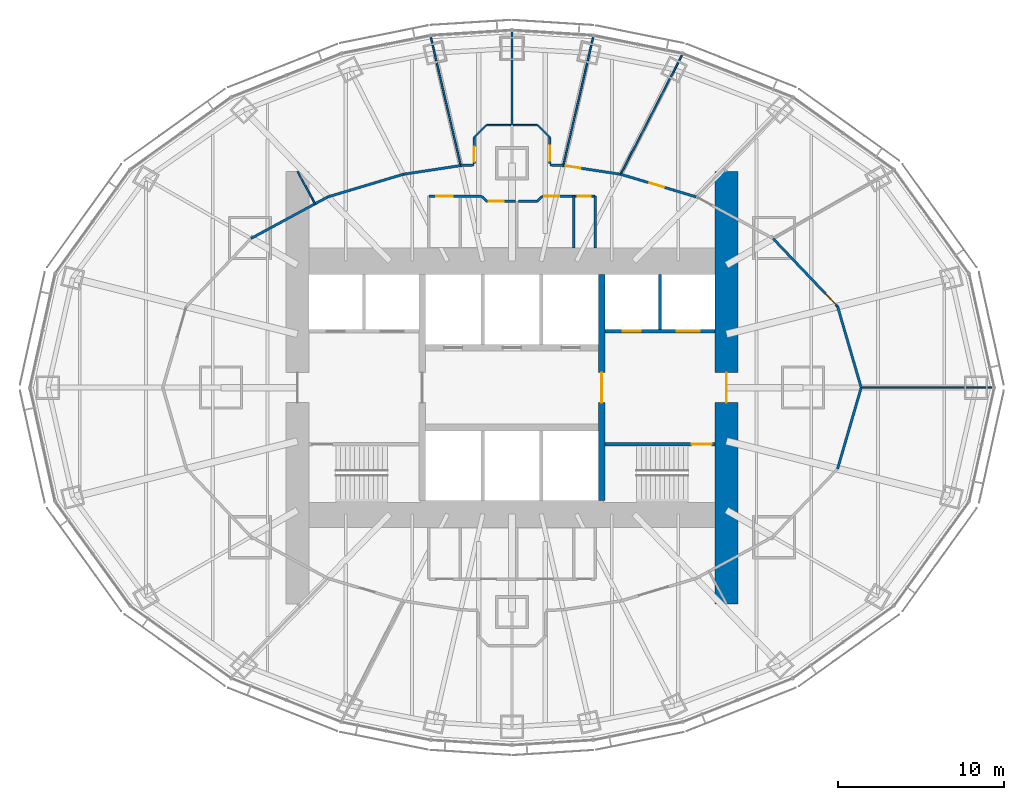
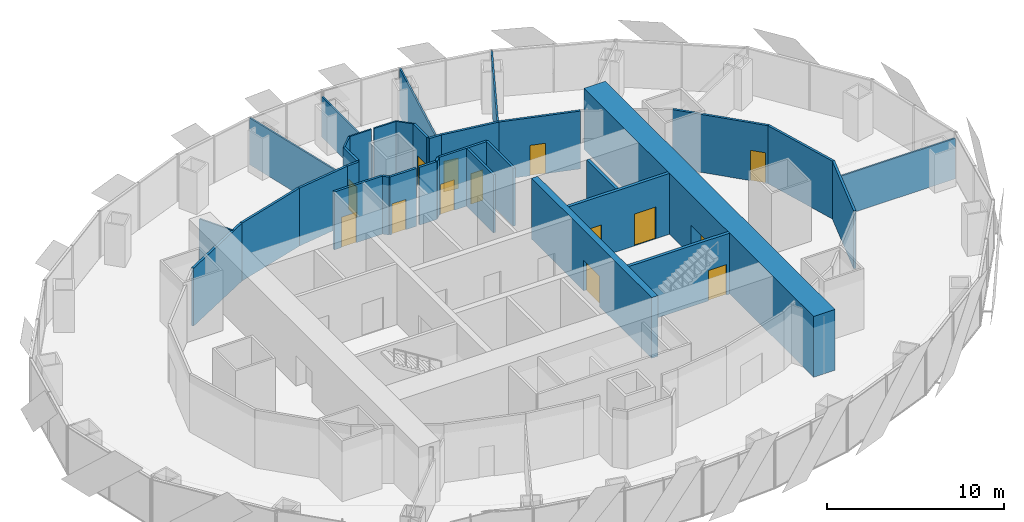
# One storey, part 12 of 18: 35 walls, 14 doors, 14 openings.
"""IFC4 building model written with IfcOpenShell, lengths in metres."""

import ifcopenshell
import ifcopenshell.guid

model = None  # the IFC model being written
_history = None  # IfcOwnerHistory: only IFC2X3 demands one
_inside = {}  # id of a spatial element -> (the spatial element, [elements in it])
_under = {}  # id of a project, library or spatial element -> (it, [spatial elements below it])
_declared = {}  # id of a project -> (the project, [libraries it declares])
_typed = {}  # id of a type object -> (the type object, [elements of that type])
_made_of = {}  # id of a material, layer set ... -> (it, [elements and type objects made of it])


def new_model(schema):
    """Start an empty IFC model of exactly this schema.

    Asked for "IFC4X3", IfcOpenShell would pick the latest addendum, in which some entities
    have other attributes; the version numbers below select the first issue.
    IFC2X3 requires an IfcOwnerHistory on every rooted entity: one is made here for all.
    """
    global model, _history
    if schema == "IFC4X3":
        model = ifcopenshell.file(schema_version=(4, 3, 0, 0))
    else:
        model = ifcopenshell.file(schema=schema)
    _inside.clear()
    _under.clear()
    _declared.clear()
    _typed.clear()
    _made_of.clear()
    _history = None
    if model.schema == "IFC2X3":
        org = make("IfcOrganization", Name="unknown")
        user = make(
            "IfcPersonAndOrganization",
            ThePerson=make("IfcPerson", FamilyName="unknown"),
            TheOrganization=org,
        )
        app = make(
            "IfcApplication",
            ApplicationDeveloper=org,
            Version="unknown",
            ApplicationFullName="unknown",
            ApplicationIdentifier="unknown",
        )
        _history = make(
            "IfcOwnerHistory",
            OwningUser=user,
            OwningApplication=app,
            ChangeAction="ADDED",
            CreationDate=0,
        )
    return model


def make(cls, **values):
    """One entity of the class cls with the attributes given. An attribute that is None is left unset."""
    return model.create_entity(
        cls, **{name: value for name, value in values.items() if value is not None}
    )


def rooted(cls, **values):
    """An entity with a GlobalId (a new one), such as an element, a storey or a relation."""
    return make(cls, GlobalId=ifcopenshell.guid.new(), OwnerHistory=_history, **values)


def si_unit(unit_type, name, prefix=None):
    """IfcSIUnit, for example si_unit("LENGTHUNIT", "METRE", prefix="MILLI")."""
    return make("IfcSIUnit", UnitType=unit_type, Prefix=prefix, Name=name)


def assignment(units):
    """IfcUnitAssignment: the units of a project."""
    return None if units is None else make("IfcUnitAssignment", Units=units)


def point(xyz):
    """IfcCartesianPoint."""
    return None if xyz is None else make("IfcCartesianPoint", Coordinates=xyz)


def direction(xyz):
    """IfcDirection."""
    return None if xyz is None else make("IfcDirection", DirectionRatios=xyz)


def frame(location, z_axis=None, x_axis=None):
    """IfcAxis2Placement3D, a coordinate frame: its origin and axes. An axis left out is left unset."""
    return make(
        "IfcAxis2Placement3D",
        Location=point(location),
        Axis=direction(z_axis),
        RefDirection=direction(x_axis),
    )


def frame_2d(location, x_axis=None):
    """IfcAxis2Placement2D, a coordinate frame in the plane: its origin and x axis."""
    return make(
        "IfcAxis2Placement2D", Location=point(location), RefDirection=direction(x_axis)
    )


def origin():
    """The frame at (0, 0, 0) with its axes left unset."""
    return frame((0.0, 0.0, 0.0))


def place(relative_to, where):
    """IfcLocalPlacement: puts the frame where relative to a parent placement (None: the world)."""
    return make(
        "IfcLocalPlacement", PlacementRelTo=relative_to, RelativePlacement=where
    )


def context(
    kind, dimensions, precision=None, world=None, true_north=None, identifier=None
):
    """IfcGeometricRepresentationContext, for example the 3D "Model" context."""
    return make(
        "IfcGeometricRepresentationContext",
        ContextIdentifier=identifier,
        ContextType=kind,
        CoordinateSpaceDimension=dimensions,
        Precision=precision,
        WorldCoordinateSystem=world,
        TrueNorth=true_north,
    )


def subcontext(parent, identifier, kind, view, scale=None):
    """IfcGeometricRepresentationSubContext, for example "Body" below "Model"."""
    return make(
        "IfcGeometricRepresentationSubContext",
        ContextIdentifier=identifier,
        ContextType=kind,
        ParentContext=parent,
        TargetScale=scale,
        TargetView=view,
    )


def project(units=None, contexts=None):
    """IfcProject with its units and contexts."""
    return rooted(
        "IfcProject",
        Name="project",
        RepresentationContexts=contexts,
        UnitsInContext=assignment(units),
    )


def spatial(cls, under=None, at=None, **own):
    """A site, building, storey or space (cls), placed at a placement, below another one or the project."""
    s = rooted(cls, ObjectPlacement=at, **own)
    if under is not None:
        _under.setdefault(under.id(), (under, []))[1].append(s)
    return s


def profile(cls, at=None, kind="AREA", **sizes):
    """A parametric profile (cls). Its sizes go by their IFC names, for example OverallWidth=200.0."""
    return make(cls, ProfileType=kind, Position=at, **sizes)


def rectangle(**sizes):
    """IfcRectangleProfileDef."""
    return profile("IfcRectangleProfileDef", **sizes)


def extrude(swept, where, along, depth):
    """IfcExtrudedAreaSolid: the profile swept, set in the frame where, extruded along a direction by depth."""
    return make(
        "IfcExtrudedAreaSolid",
        SweptArea=swept,
        Position=where,
        ExtrudedDirection=direction(along),
        Depth=depth,
    )


def shape(context_of_items, identifier, shape_type, items):
    """IfcShapeRepresentation: the items that make up one representation, for example the "Body"."""
    return make(
        "IfcShapeRepresentation",
        ContextOfItems=context_of_items,
        RepresentationIdentifier=identifier,
        RepresentationType=shape_type,
        Items=items,
    )


def material(Name=None, Category=None):
    """IfcMaterial."""
    return make("IfcMaterial", Name=Name, Category=Category)


def layer(
    of_material, thickness, ventilated=None, Name=None, Category=None, Priority=None
):
    """IfcMaterialLayer: one layer of a wall or slab, of a material (None: an air gap)."""
    return make(
        "IfcMaterialLayer",
        Material=of_material,
        LayerThickness=thickness,
        IsVentilated=ventilated,
        Name=Name,
        Category=Category,
        Priority=Priority,
    )


def layer_set(layers, Name=None):
    """IfcMaterialLayerSet."""
    return make("IfcMaterialLayerSet", MaterialLayers=layers, LayerSetName=Name)


def made_of(thing, what):
    """Note that an element or type object is made of a material, layer set ...; save() writes the relation."""
    if what is not None:
        _made_of.setdefault(what.id(), (what, []))[1].append(thing)
    return thing


def type_object(cls, material=None, **own):
    """A type object (cls), such as IfcWallType, which elements share."""
    return made_of(rooted(cls, **own), material)


def element(
    cls,
    number,
    at=None,
    inside=None,
    cuts=None,
    type_object=None,
    material=None,
    context=None,
    identifier="Body",
    shape_type=None,
    held_by="IfcProductDefinitionShape",
    body=None,
    shapes=None,
    **own,
):
    """One element of the class cls, such as IfcWall. Its Tag is "e" and its number.

    at: its placement. inside: the storey or other place that contains it. cuts: it is an
    opening in that element (IfcRelVoidsElement). A single representation is given by context,
    identifier, shape_type and body (its items); several are given by shapes. held_by: the class
    of the entity that holds the representations. save() writes the other relations.
    """
    e = rooted(cls, Tag="e%d" % number, ObjectPlacement=at, **own)
    if body is not None:
        shapes = [shape(context, identifier, shape_type, body)]
    if shapes is not None:
        e.Representation = make(held_by, Representations=shapes)
    if inside is not None:
        _inside.setdefault(inside.id(), (inside, []))[1].append(e)
    if cuts is not None:
        rooted(
            "IfcRelVoidsElement", RelatingBuildingElement=cuts, RelatedOpeningElement=e
        )
    if type_object is not None:
        _typed.setdefault(type_object.id(), (type_object, []))[1].append(e)
    return made_of(e, material)


def fill(opening, filler):
    """IfcRelFillsElement: the door or window that sits in an opening."""
    return rooted(
        "IfcRelFillsElement",
        RelatingOpeningElement=opening,
        RelatedBuildingElement=filler,
    )


def aggregate(whole, parts):
    """IfcRelAggregates: a whole, such as a stair, and the parts it consists of."""
    return rooted("IfcRelAggregates", RelatingObject=whole, RelatedObjects=parts)


def save(model, path):
    """Write the relations noted so far, then the file.

    IfcRelAggregates (storeys below a building ...), IfcRelContainedInSpatialStructure (elements
    in a storey), IfcRelDefinesByType, IfcRelAssociatesMaterial and IfcRelDeclares: one each for
    every whole, place, type object, material and project.
    """
    for whole, parts in _under.values():
        aggregate(whole, parts)
    for where, things in _inside.values():
        rooted(
            "IfcRelContainedInSpatialStructure",
            RelatedElements=things,
            RelatingStructure=where,
        )
    for kind, things in _typed.values():
        rooted("IfcRelDefinesByType", RelatedObjects=things, RelatingType=kind)
    for what, things in _made_of.values():
        rooted("IfcRelAssociatesMaterial", RelatedObjects=things, RelatingMaterial=what)
    for by, libraries in _declared.values():
        rooted("IfcRelDeclares", RelatingContext=by, RelatedDefinitions=libraries)
    model.write(path)


model = new_model("IFC4")

# Units and contexts
model_context = context("Model", 3, precision=1e-05, world=origin(), true_north=direction((0.0, 1.0)))
body_context = subcontext(model_context, "Body", "Model", "MODEL_VIEW")
ifc_project = project(units=[si_unit("LENGTHUNIT", "METRE"), si_unit("AREAUNIT", "SQUARE_METRE"), si_unit("VOLUMEUNIT", "CUBIC_METRE"), si_unit("PLANEANGLEUNIT", "RADIAN"), si_unit("MASSUNIT", "GRAM", prefix="KILO")], contexts=[model_context])

# Site, building, storey
site_placement = place(None, origin())
site = spatial("IfcSite", under=ifc_project, at=site_placement, CompositionType="ELEMENT")
building_placement = place(site_placement, origin())
building = spatial("IfcBuilding", under=site, at=building_placement, Name="Lantaw Convention Tower", CompositionType="ELEMENT")
storey_placement = place(building_placement, frame((0.0, 0.0, 188.800048828125)))
storey = spatial("IfcBuildingStorey", under=building, at=storey_placement, Name="L44", CompositionType="ELEMENT", Elevation=188.800048828125)

# Wall, opening, door
ifc_material_1 = material(Name="Concrete C60/75", Category="concrete")
ifc_layer_1 = layer(ifc_material_1, 1.39990234375)
ifc_layer_set_1 = layer_set([ifc_layer_1], Name="Core wall 1400")
wall_type_1 = type_object("IfcWallType", Name="Core wall 1400", PredefinedType="SHEAR", material=ifc_layer_set_1)
wall_1_placement = place(storey_placement, frame((12.89990234375, -13.0, 0.0), z_axis=(0.0, 0.0, 1.0), x_axis=(0.0, 1.0, 0.0)))
wall_1 = element("IfcWall", 1, at=wall_1_placement, inside=storey, type_object=wall_type_1, Name="Core wall E", PredefinedType="SHEAR", context=body_context, shape_type="SweptSolid", body=[
    extrude(rectangle(XDim=26.0, YDim=1.39990234375, at=frame_2d((13.0, 0.0))), origin(), (0.0, 0.0, 1.0), 4.199951171875),
])
opening_1_placement = place(wall_1_placement, frame((12.10009765625, 0.0, 0.0)))
opening_1 = element("IfcOpeningElement", 2, at=opening_1_placement, cuts=wall_1, Name="Opening L44.05", PredefinedType="OPENING", context=body_context, shape_type="SweptSolid", body=[
    extrude(rectangle(XDim=1.800048828125, YDim=2.10009765625, at=frame_2d((0.89990234375, 1.050048828125))), frame((0.0, 0.7099609375, 0.0), z_axis=(0.0, -1.0, 0.0), x_axis=(1.0, 0.0, 0.0)), (0.0, 0.0, 1.0), 1.419921875),
])
ifc_material_2 = material(Name="Steel, fire rated", Category="steel")
door_type_1 = type_object("IfcDoorType", Name="Lobby double door FD90", OperationType="DOUBLE_DOOR_DOUBLE_SWING", PredefinedType="DOOR", material=ifc_material_2)
door_1_placement = place(opening_1_placement, origin())
door_1 = element("IfcDoor", 3, at=door_1_placement, inside=storey, type_object=door_type_1, Name="Firefighting lobby door", OperationType="DOUBLE_DOOR_DOUBLE_SWING", OverallHeight=2.10009765625, OverallWidth=1.800048828125, PredefinedType="DOOR", context=body_context, shape_type="SweptSolid", body=[
    extrude(rectangle(XDim=1.800048828125, YDim=2.10009765625, at=frame_2d((0.89990234375, 1.050048828125))), frame((0.0, 0.02490234375, 0.0), z_axis=(0.0, -1.0, 0.0), x_axis=(1.0, 0.0, 0.0)), (0.0, 0.0, 1.0), 0.050048828125),
])
fill(opening_1, door_1)

ifc_layer_2 = layer(ifc_material_1, 0.199951171875)
ifc_layer_set_2 = layer_set([ifc_layer_2], Name="Core wall 200")
wall_type_2 = type_object("IfcWallType", Name="Core wall 200", PredefinedType="SHEAR", material=ifc_layer_set_2)
wall_2_placement = place(storey_placement, frame((5.60009765625, -3.39990234375, 0.0), z_axis=(0.0, 0.0, 1.0), x_axis=(1.0, 0.0, 0.0)))
wall_2 = element("IfcWall", 4, at=wall_2_placement, inside=storey, type_object=wall_type_2, Name="Core wall ES", PredefinedType="SHEAR", context=body_context, shape_type="SweptSolid", body=[
    extrude(rectangle(XDim=6.599853515625, YDim=0.199951171875, at=frame_2d((3.2998046875, 0.0))), origin(), (0.0, 0.0, 1.0), 4.199951171875),
])
opening_2_placement = place(wall_2_placement, frame((5.199951171875, 0.0, 0.0)))
opening_2 = element("IfcOpeningElement", 5, at=opening_2_placement, cuts=wall_2, Name="Opening L44.03", PredefinedType="OPENING", context=body_context, shape_type="SweptSolid", body=[
    extrude(rectangle(XDim=1.199951171875, YDim=2.10009765625, at=frame_2d((0.60009765625, 1.050048828125))), frame((0.0, 0.10986328125, 0.0), z_axis=(0.0, -1.0, 0.0), x_axis=(1.0, 0.0, 0.0)), (0.0, 0.0, 1.0), 0.219970703125),
])
door_type_2 = type_object("IfcDoorType", Name="Stair door FD90", OperationType="SINGLE_SWING_RIGHT", PredefinedType="DOOR", material=ifc_material_2)
door_2_placement = place(opening_2_placement, origin())
door_2 = element("IfcDoor", 6, at=door_2_placement, inside=storey, type_object=door_type_2, Name="Exit stair door", OperationType="SINGLE_SWING_RIGHT", OverallHeight=2.10009765625, OverallWidth=1.199951171875, PredefinedType="DOOR", context=body_context, shape_type="SweptSolid", body=[
    extrude(rectangle(XDim=1.199951171875, YDim=2.10009765625, at=frame_2d((0.60009765625, 1.050048828125))), frame((0.0, 0.02490234375, 0.0), z_axis=(0.0, -1.0, 0.0), x_axis=(1.0, 0.0, 0.0)), (0.0, 0.0, 1.0), 0.050048828125),
])
fill(opening_2, door_2)

ifc_layer_3 = layer(ifc_material_1, 0.39990234375)
ifc_layer_set_3 = layer_set([ifc_layer_3], Name="Core wall 400")
wall_type_3 = type_object("IfcWallType", Name="Core wall 400", PredefinedType="SHEAR", material=ifc_layer_set_3)
wall_3_placement = place(storey_placement, frame((5.39990234375, -6.800048828125, 0.0), z_axis=(0.0, 0.0, 1.0), x_axis=(0.0, 1.0, 0.0)))
wall_3 = element("IfcWall", 7, at=wall_3_placement, inside=storey, type_object=wall_type_3, Name="Core wall XE", PredefinedType="SHEAR", context=body_context, shape_type="SweptSolid", body=[
    extrude(rectangle(XDim=13.60009765625, YDim=0.39990234375, at=frame_2d((6.800048828125, 0.0))), origin(), (0.0, 0.0, 1.0), 4.199951171875),
])
opening_3_placement = place(wall_3_placement, frame((5.89990234375, 0.0, 0.0)))
opening_3 = element("IfcOpeningElement", 8, at=opening_3_placement, cuts=wall_3, Name="Opening L44.01", PredefinedType="OPENING", context=body_context, shape_type="SweptSolid", body=[
    extrude(rectangle(XDim=1.800048828125, YDim=2.10009765625, at=frame_2d((0.89990234375, 1.050048828125))), frame((0.0, 0.2099609375, 0.0), z_axis=(0.0, -1.0, 0.0), x_axis=(1.0, 0.0, 0.0)), (0.0, 0.0, 1.0), 0.419921875),
])
door_3_placement = place(opening_3_placement, origin())
door_3 = element("IfcDoor", 9, at=door_3_placement, inside=storey, type_object=door_type_1, Name="Lift lobby door", OperationType="DOUBLE_DOOR_DOUBLE_SWING", OverallHeight=2.10009765625, OverallWidth=1.800048828125, PredefinedType="DOOR", context=body_context, shape_type="SweptSolid", body=[
    extrude(rectangle(XDim=1.800048828125, YDim=2.10009765625, at=frame_2d((0.89990234375, 1.050048828125))), frame((0.0, 0.02490234375, 0.0), z_axis=(0.0, -1.0, 0.0), x_axis=(1.0, 0.0, 0.0)), (0.0, 0.0, 1.0), 0.050048828125),
])
fill(opening_3, door_3)

# Wall
ifc_material_3 = material(Name="Gypsum board on steel studs, fire rated", Category="steel")
ifc_layer_4 = layer(ifc_material_3, 0.14990234375)
ifc_layer_set_4 = layer_set([ifc_layer_4], Name="Corridor wall 150 EI 60")
wall_type_4 = type_object("IfcWallType", Name="Corridor wall 150 EI 60", PredefinedType="PARTITIONING", material=ifc_layer_set_4)
wall_4_placement = place(storey_placement, frame((21.0, 0.0, 0.0), z_axis=(0.0, 0.0, 1.0), x_axis=(-0.279474430869, 0.960153134917, 0.0)))
element("IfcWall", 10, at=wall_4_placement, inside=storey, type_object=wall_type_4, Name="Corridor wall 150", PredefinedType="PARTITIONING", context=body_context, shape_type="SweptSolid", body=[
    extrude(rectangle(XDim=5.084228515625, YDim=0.14990234375, at=frame_2d((2.5419921875, 0.0))), origin(), (0.0, 0.0, 1.0), 4.0),
])

# Wall, opening, door
wall_5_placement = place(storey_placement, frame((19.5791015625, 4.881591796875, 0.0), z_axis=(0.0, 0.0, 1.0), x_axis=(-0.688797257101, 0.72495402517, 0.0)))
wall_5 = element("IfcWall", 11, at=wall_5_placement, inside=storey, type_object=wall_type_4, Name="Corridor wall 150", PredefinedType="PARTITIONING", context=body_context, shape_type="SweptSolid", body=[
    extrude(rectangle(XDim=5.63818359375, YDim=0.14990234375, at=frame_2d((2.819091796875, 0.0))), origin(), (0.0, 0.0, 1.0), 4.0),
])
opening_4_placement = place(wall_5_placement, frame((0.14990234375, 0.0, 0.0)))
opening_4 = element("IfcOpeningElement", 12, at=opening_4_placement, cuts=wall_5, Name="Opening L44.22", PredefinedType="OPENING", context=body_context, shape_type="SweptSolid", body=[
    extrude(rectangle(XDim=0.89990234375, YDim=2.10009765625, at=frame_2d((0.449951171875, 1.050048828125))), frame((0.0, 0.0849609375, 0.0), z_axis=(0.0, -1.0, 0.0), x_axis=(1.0, 0.0, 0.0)), (0.0, 0.0, 1.0), 0.169921875),
])
door_type_3 = type_object("IfcDoorType", Name="Office door 900 FD30", OperationType="SINGLE_SWING_LEFT", PredefinedType="DOOR", material=ifc_material_2)
door_4_placement = place(opening_4_placement, origin())
door_4 = element("IfcDoor", 13, at=door_4_placement, inside=storey, type_object=door_type_3, Name="Boardroom door", OperationType="SINGLE_SWING_LEFT", OverallHeight=2.10009765625, OverallWidth=0.89990234375, PredefinedType="DOOR", context=body_context, shape_type="SweptSolid", body=[
    extrude(rectangle(XDim=0.89990234375, YDim=2.10009765625, at=frame_2d((0.449951171875, 1.050048828125))), frame((0.0, 0.02490234375, 0.0), z_axis=(0.0, -1.0, 0.0), x_axis=(1.0, 0.0, 0.0)), (0.0, 0.0, 1.0), 0.050048828125),
])
fill(opening_4, door_4)

wall_6_placement = place(storey_placement, frame((11.075927734375, 11.469482421875, 0.0), z_axis=(0.0, 0.0, 1.0), x_axis=(-0.957933992798, 0.286988615527, 0.0)))
wall_6 = element("IfcWall", 14, at=wall_6_placement, inside=storey, type_object=wall_type_4, Name="Corridor wall 150", PredefinedType="PARTITIONING", context=body_context, shape_type="SweptSolid", body=[
    extrude(rectangle(XDim=4.73828125, YDim=0.14990234375, at=frame_2d((2.369140625, 0.0))), origin(), (0.0, 0.0, 1.0), 4.0),
])
opening_5_placement = place(wall_6_placement, frame((2.023193359375, 0.0, 0.0)))
opening_5 = element("IfcOpeningElement", 15, at=opening_5_placement, cuts=wall_6, Name="Opening L44.24", PredefinedType="OPENING", context=body_context, shape_type="SweptSolid", body=[
    extrude(rectangle(XDim=0.89990234375, YDim=2.10009765625, at=frame_2d((0.449951171875, 1.050048828125))), frame((0.0, 0.0849609375, 0.0), z_axis=(0.0, -1.0, 0.0), x_axis=(1.0, 0.0, 0.0)), (0.0, 0.0, 1.0), 0.169921875),
])
door_5_placement = place(opening_5_placement, origin())
door_5 = element("IfcDoor", 16, at=door_5_placement, inside=storey, type_object=door_type_3, Name="Meeting room door", OperationType="SINGLE_SWING_LEFT", OverallHeight=2.10009765625, OverallWidth=0.89990234375, PredefinedType="DOOR", context=body_context, shape_type="SweptSolid", body=[
    extrude(rectangle(XDim=0.89990234375, YDim=2.10009765625, at=frame_2d((0.449951171875, 1.050048828125))), frame((0.0, 0.02490234375, 0.0), z_axis=(0.0, -1.0, 0.0), x_axis=(1.0, 0.0, 0.0)), (0.0, 0.0, 1.0), 0.050048828125),
])
fill(opening_5, door_5)

wall_7_placement = place(storey_placement, frame((6.536865234375, 12.829345703125, 0.0), z_axis=(0.0, 0.0, 1.0), x_axis=(-0.988668719464, 0.150113833987, 0.0)))
wall_7 = element("IfcWall", 17, at=wall_7_placement, inside=storey, type_object=wall_type_4, Name="Corridor wall 150", PredefinedType="PARTITIONING", context=body_context, shape_type="SweptSolid", body=[
    extrude(rectangle(XDim=3.493408203125, YDim=0.14990234375, at=frame_2d((1.74658203125, 0.0))), origin(), (0.0, 0.0, 1.0), 4.0),
])
opening_6_placement = place(wall_7_placement, frame((2.443603515625, 0.0, 0.0)))
opening_6 = element("IfcOpeningElement", 18, at=opening_6_placement, cuts=wall_7, Name="Opening L44.25", PredefinedType="OPENING", context=body_context, shape_type="SweptSolid", body=[
    extrude(rectangle(XDim=0.89990234375, YDim=2.10009765625, at=frame_2d((0.449951171875, 1.050048828125))), frame((0.0, 0.0849609375, 0.0), z_axis=(0.0, -1.0, 0.0), x_axis=(1.0, 0.0, 0.0)), (0.0, 0.0, 1.0), 0.169921875),
])
door_6_placement = place(opening_6_placement, origin())
door_6 = element("IfcDoor", 19, at=door_6_placement, inside=storey, type_object=door_type_3, Name="Meeting room door", OperationType="SINGLE_SWING_LEFT", OverallHeight=2.10009765625, OverallWidth=0.89990234375, PredefinedType="DOOR", context=body_context, shape_type="SweptSolid", body=[
    extrude(rectangle(XDim=0.89990234375, YDim=2.10009765625, at=frame_2d((0.449951171875, 1.050048828125))), frame((0.0, 0.02490234375, 0.0), z_axis=(0.0, -1.0, 0.0), x_axis=(1.0, 0.0, 0.0)), (0.0, 0.0, 1.0), 0.050048828125),
])
fill(opening_6, door_6)

# Walls
wall_8_placement = place(storey_placement, frame((-3.0830078125, 13.353759765625, 0.0), z_axis=(0.0, 0.0, 1.0), x_axis=(-0.988668719464, -0.150113833987, 0.0)))
element("IfcWall", 20, at=wall_8_placement, inside=storey, type_object=wall_type_4, Name="Corridor wall 150", PredefinedType="PARTITIONING", context=body_context, shape_type="SweptSolid", body=[
    extrude(rectangle(XDim=3.493408203125, YDim=0.14990234375, at=frame_2d((1.74658203125, 0.0))), origin(), (0.0, 0.0, 1.0), 4.0),
])
wall_9_placement = place(storey_placement, frame((-6.536865234375, 12.829345703125, 0.0), z_axis=(0.0, 0.0, 1.0), x_axis=(-0.957933992798, -0.286988615527, 0.0)))
element("IfcWall", 21, at=wall_9_placement, inside=storey, type_object=wall_type_4, Name="Corridor wall 150", PredefinedType="PARTITIONING", context=body_context, shape_type="SweptSolid", body=[
    extrude(rectangle(XDim=4.73828125, YDim=0.14990234375, at=frame_2d((2.369140625, 0.0))), origin(), (0.0, 0.0, 1.0), 4.0),
])
wall_10_placement = place(storey_placement, frame((-11.075927734375, 11.469482421875, 0.0), z_axis=(0.0, 0.0, 1.0), x_axis=(-0.879436285334, -0.476016617397, 0.0)))
element("IfcWall", 22, at=wall_10_placement, inside=storey, type_object=wall_type_4, Name="Corridor wall 150", PredefinedType="PARTITIONING", context=body_context, shape_type="SweptSolid", body=[
    extrude(rectangle(XDim=5.2529296875, YDim=0.14990234375, at=frame_2d((2.62646484375, 0.0))), origin(), (0.0, 0.0, 1.0), 4.0),
])
wall_11_placement = place(storey_placement, frame((19.5791015625, -4.881591796875, 0.0), z_axis=(0.0, 0.0, 1.0), x_axis=(0.279474430869, 0.960153134917, 0.0)))
element("IfcWall", 23, at=wall_11_placement, inside=storey, type_object=wall_type_4, Name="Corridor wall 150", PredefinedType="PARTITIONING", context=body_context, shape_type="SweptSolid", body=[
    extrude(rectangle(XDim=5.084228515625, YDim=0.14990234375, at=frame_2d((2.5419921875, 0.0))), origin(), (0.0, 0.0, 1.0), 4.0),
])
for number, where, z_axis, x_axis, name in (
    (24, (3.0830078125, 13.353759765625, 0.0), (0.0, 0.0, 1.0), (-0.998878614804, 0.04734461836, 0.0), "Corridor wall 150"),
    (25, (-2.294921875, 13.39111328125, 0.0), (0.0, 0.0, 1.0), (-0.998878614804, -0.04734461836, 0.0), "Corridor wall 150"),
):
    element("IfcWall", number, at=place(storey_placement, frame(where, z_axis=z_axis, x_axis=x_axis)), inside=storey, type_object=wall_type_4, Name=name, PredefinedType="PARTITIONING", context=body_context, shape_type="SweptSolid", body=[
        extrude(rectangle(XDim=0.7890625, YDim=0.14990234375, at=frame_2d((0.39453125, 0.0))), origin(), (0.0, 0.0, 1.0), 4.0),
    ])

# Wall, opening, door
wall_12_placement = place(storey_placement, frame((2.284912109375, 15.0322265625, 0.0), z_axis=(0.0, 0.0, 1.0), x_axis=(0.0, -1.0, 0.0)))
wall_12 = element("IfcWall", 26, at=wall_12_placement, inside=storey, type_object=wall_type_4, Name="Corridor wall 150", PredefinedType="PARTITIONING", context=body_context, shape_type="SweptSolid", body=[
    extrude(rectangle(XDim=1.53955078125, YDim=0.14990234375, at=frame_2d((0.769775390625, 0.0))), origin(), (0.0, 0.0, 1.0), 4.0),
])
opening_7_placement = place(wall_12_placement, frame((0.5, 0.0, 0.0)))
opening_7 = element("IfcOpeningElement", 27, at=opening_7_placement, cuts=wall_12, Name="Opening L44.26", PredefinedType="OPENING", context=body_context, shape_type="SweptSolid", body=[
    extrude(rectangle(XDim=0.89990234375, YDim=2.10009765625, at=frame_2d((0.449951171875, 1.050048828125))), frame((0.0, 0.0849609375, 0.0), z_axis=(0.0, -1.0, 0.0), x_axis=(1.0, 0.0, 0.0)), (0.0, 0.0, 1.0), 0.169921875),
])
door_7_placement = place(opening_7_placement, origin())
door_7 = element("IfcDoor", 28, at=door_7_placement, inside=storey, type_object=door_type_3, Name="Training room door", OperationType="SINGLE_SWING_LEFT", OverallHeight=2.10009765625, OverallWidth=0.89990234375, PredefinedType="DOOR", context=body_context, shape_type="SweptSolid", body=[
    extrude(rectangle(XDim=0.89990234375, YDim=2.10009765625, at=frame_2d((0.449951171875, 1.050048828125))), frame((0.0, 0.02490234375, 0.0), z_axis=(0.0, -1.0, 0.0), x_axis=(1.0, 0.0, 0.0)), (0.0, 0.0, 1.0), 0.050048828125),
])
fill(opening_7, door_7)

wall_13_placement = place(storey_placement, frame((-2.284912109375, 13.49267578125, 0.0), z_axis=(0.0, 0.0, 1.0), x_axis=(0.0, 1.0, 0.0)))
wall_13 = element("IfcWall", 29, at=wall_13_placement, inside=storey, type_object=wall_type_4, Name="Corridor wall 150", PredefinedType="PARTITIONING", context=body_context, shape_type="SweptSolid", body=[
    extrude(rectangle(XDim=1.53955078125, YDim=0.14990234375, at=frame_2d((0.769775390625, 0.0))), origin(), (0.0, 0.0, 1.0), 4.0),
])
opening_8_placement = place(wall_13_placement, frame((0.10009765625, 0.0, 0.0)))
opening_8 = element("IfcOpeningElement", 30, at=opening_8_placement, cuts=wall_13, Name="Opening L44.27", PredefinedType="OPENING", context=body_context, shape_type="SweptSolid", body=[
    extrude(rectangle(XDim=0.89990234375, YDim=2.10009765625, at=frame_2d((0.449951171875, 1.050048828125))), frame((0.0, 0.0849609375, 0.0), z_axis=(0.0, -1.0, 0.0), x_axis=(1.0, 0.0, 0.0)), (0.0, 0.0, 1.0), 0.169921875),
])
door_8_placement = place(opening_8_placement, origin())
door_8 = element("IfcDoor", 31, at=door_8_placement, inside=storey, type_object=door_type_3, Name="Pantry door", OperationType="SINGLE_SWING_LEFT", OverallHeight=2.10009765625, OverallWidth=0.89990234375, PredefinedType="DOOR", context=body_context, shape_type="SweptSolid", body=[
    extrude(rectangle(XDim=0.89990234375, YDim=2.10009765625, at=frame_2d((0.449951171875, 1.050048828125))), frame((0.0, 0.02490234375, 0.0), z_axis=(0.0, -1.0, 0.0), x_axis=(1.0, 0.0, 0.0)), (0.0, 0.0, 1.0), 0.050048828125),
])
fill(opening_8, door_8)

# Walls
ifc_material_4 = material(Name="Gypsum board on steel studs, acoustic", Category="steel")
ifc_layer_5 = layer(ifc_material_4, 0.10009765625)
ifc_layer_set_5 = layer_set([ifc_layer_5], Name="Office partition 100")
wall_type_5 = type_object("IfcWallType", Name="Office partition 100", PredefinedType="PARTITIONING", material=ifc_layer_set_5)
wall_14_placement = place(storey_placement, frame((28.944091796875, 0.0, 0.0), z_axis=(0.0, 0.0, 1.0), x_axis=(-1.0, 0.0, 0.0)))
element("IfcWall", 32, at=wall_14_placement, inside=storey, type_object=wall_type_5, Name="Office partition 100", PredefinedType="PARTITIONING", context=body_context, shape_type="SweptSolid", body=[
    extrude(rectangle(XDim=7.944091796875, YDim=0.10009765625, at=frame_2d((3.97216796875, 0.0))), origin(), (0.0, 0.0, 1.0), 2.800048828125),
])
wall_15_placement = place(storey_placement, frame((10.253173828125, 20.0517578125, 0.0), z_axis=(0.0, 0.0, 1.0), x_axis=(-0.457535449567, -0.889191381194, 0.0)))
element("IfcWall", 33, at=wall_15_placement, inside=storey, type_object=wall_type_5, Name="Office partition 100", PredefinedType="PARTITIONING", context=body_context, shape_type="SweptSolid", body=[
    extrude(rectangle(XDim=8.12255859375, YDim=0.10009765625, at=frame_2d((4.061279296875, 0.0))), origin(), (0.0, 0.0, 1.0), 3.227783203125),
])
for number, where, z_axis, x_axis, name in (
    (34, (4.89697265625, 21.134765625, 0.0), (0.0, 0.0, 1.0), (-0.227039313577, -0.973885593943, 0.0), "Office partition 100"),
    (35, (-4.89697265625, 21.134765625, 0.0), (0.0, 0.0, 1.0), (0.227039313577, -0.973885593943, 0.0), "Office partition 100"),
):
    element("IfcWall", number, at=place(storey_placement, frame(where, z_axis=z_axis, x_axis=x_axis)), inside=storey, type_object=wall_type_5, Name=name, PredefinedType="PARTITIONING", context=body_context, shape_type="SweptSolid", body=[
        extrude(rectangle(XDim=7.98974609375, YDim=0.10009765625, at=frame_2d((3.994873046875, 0.0))), origin(), (0.0, 0.0, 1.0), 3.227783203125),
    ])
wall_16_placement = place(storey_placement, frame((-12.89990234375, 13.0, 0.0), z_axis=(0.0, 0.0, 1.0), x_axis=(0.475998959765, -0.879445842734, 0.0)))
element("IfcWall", 36, at=wall_16_placement, inside=storey, type_object=wall_type_5, Name="Office partition 100", PredefinedType="PARTITIONING", context=body_context, shape_type="SweptSolid", body=[
    extrude(rectangle(XDim=2.214111328125, YDim=0.10009765625, at=frame_2d((1.10693359375, 0.0))), origin(), (0.0, 0.0, 1.0), 4.0),
])
wall_17_placement = place(storey_placement, frame((0.0, 21.44482421875, 0.0), z_axis=(0.0, 0.0, 1.0), x_axis=(0.0, -1.0, 0.0)))
element("IfcWall", 37, at=wall_17_placement, inside=storey, type_object=wall_type_5, Name="Office partition 100", PredefinedType="PARTITIONING", context=body_context, shape_type="SweptSolid", body=[
    extrude(rectangle(XDim=5.64990234375, YDim=0.10009765625, at=frame_2d((2.824951171875, 0.0))), origin(), (0.0, 0.0, 1.0), 2.800048828125),
])
wall_18_placement = place(storey_placement, frame((0.078125, 15.784912109375, 0.0), z_axis=(0.0, 0.0, 1.0), x_axis=(1.0, 0.0, 0.0)))
element("IfcWall", 38, at=wall_18_placement, inside=storey, type_object=wall_type_5, Name="Office partition 100", PredefinedType="PARTITIONING", context=body_context, shape_type="SweptSolid", body=[
    extrude(rectangle(XDim=1.4541015625, YDim=0.10009765625, at=frame_2d((0.72705078125, 0.0))), origin(), (0.0, 0.0, 1.0), 4.0),
])
for number, where, z_axis, x_axis, name in (
    (39, (1.5322265625, 15.784912109375, 0.0), (0.0, 0.0, 1.0), (0.707106781187, -0.707106781187, 0.0), "Office partition 100"),
    (40, (-2.284912109375, 15.0322265625, 0.0), (0.0, 0.0, 1.0), (0.707106781187, 0.707106781187, 0.0), "Office partition 100"),
):
    element("IfcWall", number, at=place(storey_placement, frame(where, z_axis=z_axis, x_axis=x_axis)), inside=storey, type_object=wall_type_5, Name=name, PredefinedType="PARTITIONING", context=body_context, shape_type="SweptSolid", body=[
        extrude(rectangle(XDim=1.064453125, YDim=0.10009765625, at=frame_2d((0.5322265625, 0.0))), origin(), (0.0, 0.0, 1.0), 4.0),
    ])
wall_19_placement = place(storey_placement, frame((-1.5322265625, 15.784912109375, 0.0), z_axis=(0.0, 0.0, 1.0), x_axis=(1.0, 0.0, 0.0)))
element("IfcWall", 41, at=wall_19_placement, inside=storey, type_object=wall_type_5, Name="Office partition 100", PredefinedType="PARTITIONING", context=body_context, shape_type="SweptSolid", body=[
    extrude(rectangle(XDim=1.4541015625, YDim=0.10009765625, at=frame_2d((0.72705078125, 0.0))), origin(), (0.0, 0.0, 1.0), 4.0),
])

# Wall, openings, doors
ifc_material_5 = material(Name="Concrete blockwork, fire rated", Category="masonry")
ifc_layer_6 = layer(ifc_material_5, 0.199951171875)
ifc_layer_set_6 = layer_set([ifc_layer_6], Name="Shaft wall 200")
wall_type_6 = type_object("IfcWallType", Name="Shaft wall 200", PredefinedType="SOLIDWALL", material=ifc_layer_set_6)
wall_20_placement = place(storey_placement, frame((12.199951171875, 3.39990234375, 0.0), z_axis=(0.0, 0.0, 1.0), x_axis=(-1.0, 0.0, 0.0)))
wall_20 = element("IfcWall", 42, at=wall_20_placement, inside=storey, type_object=wall_type_6, Name="Shaft wall EN", PredefinedType="SOLIDWALL", context=body_context, shape_type="SweptSolid", body=[
    extrude(rectangle(XDim=6.599853515625, YDim=0.199951171875, at=frame_2d((3.2998046875, 0.0))), origin(), (0.0, 0.0, 1.0), 4.199951171875),
])
opening_9_placement = place(wall_20_placement, frame((4.449951171875, 0.0, 0.0)))
opening_9 = element("IfcOpeningElement", 43, at=opening_9_placement, cuts=wall_20, Name="Opening L44.12", PredefinedType="OPENING", context=body_context, shape_type="SweptSolid", body=[
    extrude(rectangle(XDim=1.10009765625, YDim=2.199951171875, at=frame_2d((0.550048828125, 1.10009765625))), frame((0.0, 0.10986328125, 0.0), z_axis=(0.0, -1.0, 0.0), x_axis=(1.0, 0.0, 0.0)), (0.0, 0.0, 1.0), 0.219970703125),
])
opening_10_placement = place(wall_20_placement, frame((0.89990234375, 0.0, 0.0)))
opening_10 = element("IfcOpeningElement", 44, at=opening_10_placement, cuts=wall_20, Name="Opening L44.13", PredefinedType="OPENING", context=body_context, shape_type="SweptSolid", body=[
    extrude(rectangle(XDim=1.39990234375, YDim=2.199951171875, at=frame_2d((0.699951171875, 1.10009765625))), frame((0.0, 0.10986328125, 0.0), z_axis=(0.0, -1.0, 0.0), x_axis=(1.0, 0.0, 0.0)), (0.0, 0.0, 1.0), 0.219970703125),
])
ifc_material_6 = material(Name="Stainless steel", Category="steel")
door_type_4 = type_object("IfcDoorType", Name="Lift landing door 1100", OperationType="DOUBLE_DOOR_SLIDING", PredefinedType="DOOR", material=ifc_material_6)
door_9_placement = place(opening_9_placement, origin())
door_9 = element("IfcDoor", 45, at=door_9_placement, inside=storey, type_object=door_type_4, Name="Lift landing door FF2", OperationType="DOUBLE_DOOR_SLIDING", OverallHeight=2.199951171875, OverallWidth=1.10009765625, PredefinedType="DOOR", context=body_context, shape_type="SweptSolid", body=[
    extrude(rectangle(XDim=1.10009765625, YDim=2.199951171875, at=frame_2d((0.550048828125, 1.10009765625))), frame((0.0, 0.02490234375, 0.0), z_axis=(0.0, -1.0, 0.0), x_axis=(1.0, 0.0, 0.0)), (0.0, 0.0, 1.0), 0.050048828125),
])
fill(opening_9, door_9)
door_type_5 = type_object("IfcDoorType", Name="Lift landing door 1400", OperationType="DOUBLE_DOOR_SLIDING", PredefinedType="DOOR", material=ifc_material_6)
door_10_placement = place(opening_10_placement, origin())
door_10 = element("IfcDoor", 46, at=door_10_placement, inside=storey, type_object=door_type_5, Name="Lift landing door SV2", OperationType="DOUBLE_DOOR_SLIDING", OverallHeight=2.199951171875, OverallWidth=1.39990234375, PredefinedType="DOOR", context=body_context, shape_type="SweptSolid", body=[
    extrude(rectangle(XDim=1.39990234375, YDim=2.199951171875, at=frame_2d((0.699951171875, 1.10009765625))), frame((0.0, 0.02490234375, 0.0), z_axis=(0.0, -1.0, 0.0), x_axis=(1.0, 0.0, 0.0)), (0.0, 0.0, 1.0), 0.050048828125),
])
fill(opening_10, door_10)

# Walls
wall_21_placement = place(storey_placement, frame((8.89990234375, 3.5, 0.0), z_axis=(0.0, 0.0, 1.0), x_axis=(0.0, 1.0, 0.0)))
element("IfcWall", 47, at=wall_21_placement, inside=storey, type_object=wall_type_6, Name="Shaft wall ED", PredefinedType="SOLIDWALL", context=body_context, shape_type="SweptSolid", body=[
    extrude(rectangle(XDim=3.300048828125, YDim=0.199951171875, at=frame_2d((1.64990234375, 0.0))), origin(), (0.0, 0.0, 1.0), 4.199951171875),
])
ifc_material_7 = material(Name="Concrete blockwork", Category="masonry")
ifc_layer_7 = layer(ifc_material_7, 0.14990234375)
ifc_layer_set_7 = layer_set([ifc_layer_7], Name="WC wall 150")
wall_type_7 = type_object("IfcWallType", Name="WC wall 150", PredefinedType="SOLIDWALL", material=ifc_layer_set_7)
for number, where, z_axis, x_axis, name in (
    (48, (5.0, 8.39990234375, 0.0), (0.0, 0.0, 1.0), (0.0, 1.0, 0.0), "WC wall 150"),
    (49, (3.699951171875, 8.39990234375, 0.0), (0.0, 0.0, 1.0), (0.0, 1.0, 0.0), "WC wall 150"),
):
    element("IfcWall", number, at=place(storey_placement, frame(where, z_axis=z_axis, x_axis=x_axis)), inside=storey, type_object=wall_type_7, Name=name, PredefinedType="SOLIDWALL", context=body_context, shape_type="SweptSolid", body=[
        extrude(rectangle(XDim=3.112060546875, YDim=0.14990234375, at=frame_2d((1.55615234375, 0.0))), origin(), (0.0, 0.0, 1.0), 4.0),
    ])

# Wall, opening, door
wall_22_placement = place(storey_placement, frame((-5.0, 11.511962890625, 0.0), z_axis=(0.0, 0.0, 1.0), x_axis=(1.0, 0.0, 0.0)))
wall_22 = element("IfcWall", 50, at=wall_22_placement, inside=storey, type_object=wall_type_7, Name="WC wall 150", PredefinedType="SOLIDWALL", context=body_context, shape_type="SweptSolid", body=[
    extrude(rectangle(XDim=3.156494140625, YDim=0.14990234375, at=frame_2d((1.578125, 0.0))), origin(), (0.0, 0.0, 1.0), 4.0),
])
opening_11_placement = place(wall_22_placement, frame((0.449951171875, 0.0, 0.0)))
opening_11 = element("IfcOpeningElement", 51, at=opening_11_placement, cuts=wall_22, Name="Opening L44.14", PredefinedType="OPENING", context=body_context, shape_type="SweptSolid", body=[
    extrude(rectangle(XDim=1.0, YDim=2.10009765625, at=frame_2d((0.5, 1.050048828125))), frame((0.0, 0.0849609375, 0.0), z_axis=(0.0, -1.0, 0.0), x_axis=(1.0, 0.0, 0.0)), (0.0, 0.0, 1.0), 0.169921875),
])
ifc_material_8 = material(Name="Timber", Category="wood")
door_type_6 = type_object("IfcDoorType", Name="Accessible WC door 1000", OperationType="SINGLE_SWING_LEFT", PredefinedType="DOOR", material=ifc_material_8)
door_11_placement = place(opening_11_placement, origin())
door_11 = element("IfcDoor", 52, at=door_11_placement, inside=storey, type_object=door_type_6, Name="Accessible WC door", OperationType="SINGLE_SWING_LEFT", OverallHeight=2.10009765625, OverallWidth=1.0, PredefinedType="DOOR", context=body_context, shape_type="SweptSolid", body=[
    extrude(rectangle(XDim=1.0, YDim=2.10009765625, at=frame_2d((0.5, 1.050048828125))), frame((0.0, 0.02490234375, 0.0), z_axis=(0.0, -1.0, 0.0), x_axis=(1.0, 0.0, 0.0)), (0.0, 0.0, 1.0), 0.050048828125),
])
fill(opening_11, door_11)

# Wall, openings, doors
wall_23_placement = place(storey_placement, frame((1.843505859375, 11.511962890625, 0.0), z_axis=(0.0, 0.0, 1.0), x_axis=(1.0, 0.0, 0.0)))
wall_23 = element("IfcWall", 53, at=wall_23_placement, inside=storey, type_object=wall_type_7, Name="WC wall 150", PredefinedType="SOLIDWALL", context=body_context, shape_type="SweptSolid", body=[
    extrude(rectangle(XDim=3.156494140625, YDim=0.14990234375, at=frame_2d((1.578125, 0.0))), origin(), (0.0, 0.0, 1.0), 4.0),
])
opening_12_placement = place(wall_23_placement, frame((0.10009765625, 0.0, 0.0)))
opening_12 = element("IfcOpeningElement", 54, at=opening_12_placement, cuts=wall_23, Name="Opening L44.16", PredefinedType="OPENING", context=body_context, shape_type="SweptSolid", body=[
    extrude(rectangle(XDim=0.89990234375, YDim=2.10009765625, at=frame_2d((0.449951171875, 1.050048828125))), frame((0.0, 0.0849609375, 0.0), z_axis=(0.0, -1.0, 0.0), x_axis=(1.0, 0.0, 0.0)), (0.0, 0.0, 1.0), 0.169921875),
])
opening_13_placement = place(wall_23_placement, frame((2.10009765625, 0.0, 0.0)))
opening_13 = element("IfcOpeningElement", 55, at=opening_13_placement, cuts=wall_23, Name="Opening L44.17", PredefinedType="OPENING", context=body_context, shape_type="SweptSolid", body=[
    extrude(rectangle(XDim=0.800048828125, YDim=2.10009765625, at=frame_2d((0.39990234375, 1.050048828125))), frame((0.0, 0.0849609375, 0.0), z_axis=(0.0, -1.0, 0.0), x_axis=(1.0, 0.0, 0.0)), (0.0, 0.0, 1.0), 0.169921875),
])
door_type_7 = type_object("IfcDoorType", Name="WC door 800", OperationType="SINGLE_SWING_LEFT", PredefinedType="DOOR", material=ifc_material_8)
door_12_placement = place(opening_13_placement, origin())
door_12 = element("IfcDoor", 56, at=door_12_placement, inside=storey, type_object=door_type_7, Name="Cleaner's store door", OperationType="SINGLE_SWING_LEFT", OverallHeight=2.10009765625, OverallWidth=0.800048828125, PredefinedType="DOOR", context=body_context, shape_type="SweptSolid", body=[
    extrude(rectangle(XDim=0.800048828125, YDim=2.10009765625, at=frame_2d((0.39990234375, 1.050048828125))), frame((0.0, 0.02490234375, 0.0), z_axis=(0.0, -1.0, 0.0), x_axis=(1.0, 0.0, 0.0)), (0.0, 0.0, 1.0), 0.050048828125),
])
fill(opening_13, door_12)
door_type_8 = type_object("IfcDoorType", Name="WC door 900", OperationType="SINGLE_SWING_LEFT", PredefinedType="DOOR", material=ifc_material_8)
door_13_placement = place(opening_12_placement, origin())
door_13 = element("IfcDoor", 57, at=door_13_placement, inside=storey, type_object=door_type_8, Name="Female WC door", OperationType="SINGLE_SWING_LEFT", OverallHeight=2.10009765625, OverallWidth=0.89990234375, PredefinedType="DOOR", context=body_context, shape_type="SweptSolid", body=[
    extrude(rectangle(XDim=0.89990234375, YDim=2.10009765625, at=frame_2d((0.449951171875, 1.050048828125))), frame((0.0, 0.02490234375, 0.0), z_axis=(0.0, -1.0, 0.0), x_axis=(1.0, 0.0, 0.0)), (0.0, 0.0, 1.0), 0.050048828125),
])
fill(opening_12, door_13)

# Wall, opening, door
wall_24_placement = place(storey_placement, frame((0.19677734375, 11.215087890625, 0.0), z_axis=(0.0, 0.0, 1.0), x_axis=(-1.0, 0.0, 0.0)))
wall_24 = element("IfcWall", 58, at=wall_24_placement, inside=storey, type_object=wall_type_7, Name="WC wall 150", PredefinedType="SOLIDWALL", context=body_context, shape_type="SweptSolid", body=[
    extrude(rectangle(XDim=1.72900390625, YDim=0.14990234375, at=frame_2d((0.864501953125, 0.0))), origin(), (0.0, 0.0, 1.0), 4.0),
])
opening_14_placement = place(wall_24_placement, frame((0.699951171875, 0.0, 0.0)))
opening_14 = element("IfcOpeningElement", 59, at=opening_14_placement, cuts=wall_24, Name="Opening L44.15", PredefinedType="OPENING", context=body_context, shape_type="SweptSolid", body=[
    extrude(rectangle(XDim=0.89990234375, YDim=2.10009765625, at=frame_2d((0.449951171875, 1.050048828125))), frame((0.0, 0.0849609375, 0.0), z_axis=(0.0, -1.0, 0.0), x_axis=(1.0, 0.0, 0.0)), (0.0, 0.0, 1.0), 0.169921875),
])
door_14_placement = place(opening_14_placement, origin())
door_14 = element("IfcDoor", 60, at=door_14_placement, inside=storey, type_object=door_type_8, Name="Male WC door", OperationType="SINGLE_SWING_LEFT", OverallHeight=2.10009765625, OverallWidth=0.89990234375, PredefinedType="DOOR", context=body_context, shape_type="SweptSolid", body=[
    extrude(rectangle(XDim=0.89990234375, YDim=2.10009765625, at=frame_2d((0.449951171875, 1.050048828125))), frame((0.0, 0.02490234375, 0.0), z_axis=(0.0, -1.0, 0.0), x_axis=(1.0, 0.0, 0.0)), (0.0, 0.0, 1.0), 0.050048828125),
])
fill(opening_14, door_14)

# Walls
for number, where, z_axis, x_axis, name in (
    (61, (-1.5322265625, 11.215087890625, 0.0), (0.0, 0.0, 1.0), (-0.707413751745, 0.706799677308, 0.0), "WC wall 150"),
    (62, (1.8134765625, 11.49609375, 0.0), (0.0, 0.0, 1.0), (-0.707413751745, -0.706799677308, 0.0), "WC wall 150"),
):
    element("IfcWall", number, at=place(storey_placement, frame(where, z_axis=z_axis, x_axis=x_axis)), inside=storey, type_object=wall_type_7, Name=name, PredefinedType="SOLIDWALL", context=body_context, shape_type="SweptSolid", body=[
        extrude(rectangle(XDim=0.3974609375, YDim=0.14990234375, at=frame_2d((0.19873046875, 0.0))), origin(), (0.0, 0.0, 1.0), 4.0),
    ])
wall_25_placement = place(storey_placement, frame((1.5322265625, 11.215087890625, 0.0), z_axis=(0.0, 0.0, 1.0), x_axis=(-1.0, 0.0, 0.0)))
element("IfcWall", 63, at=wall_25_placement, inside=storey, type_object=wall_type_7, Name="WC wall 150", PredefinedType="SOLIDWALL", context=body_context, shape_type="SweptSolid", body=[
    extrude(rectangle(XDim=1.12890625, YDim=0.14990234375, at=frame_2d((0.564453125, 0.0))), origin(), (0.0, 0.0, 1.0), 4.0),
])

save(model, "model.ifc")
